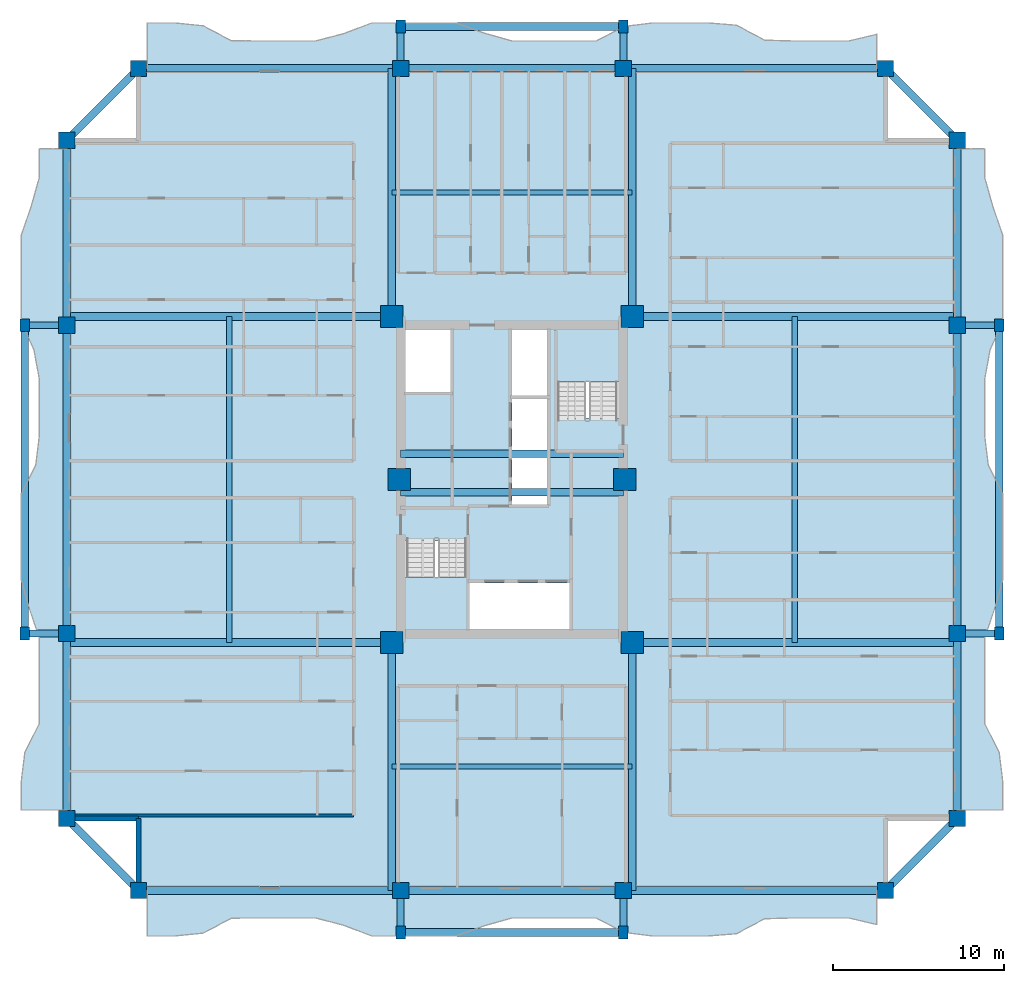
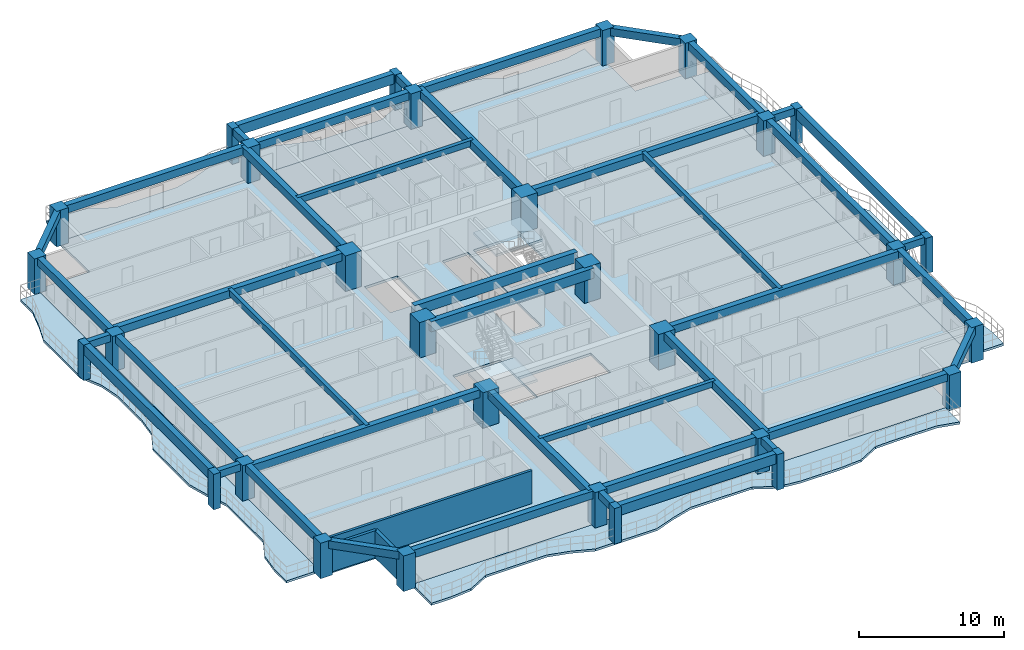
# One storey, part 1 of 14: 42 beams, 30 columns, 7 slabs, 3 walls, 2 elements without a shape of their own.
"""IFC4 building model written with IfcOpenShell, lengths in metres."""

from ifc_helpers import new_model, si_unit, direction, frame, frame_2d, origin, origin_2d, place, context, subcontext, project, spatial, polyline, rectangle, outline, extrude, source, transform, mapped, material, layer, layer_set, material_profile, profile_set, type_object, element, aggregate, save


model = new_model("IFC4")

# Units and contexts
model_context = context("Model", 3, precision=1e-05, world=origin(), true_north=direction((0.0, 1.0)))
body_context = subcontext(model_context, "Body", "Model", "MODEL_VIEW")
ifc_project = project(units=[si_unit("LENGTHUNIT", "METRE"), si_unit("AREAUNIT", "SQUARE_METRE"), si_unit("VOLUMEUNIT", "CUBIC_METRE"), si_unit("PLANEANGLEUNIT", "RADIAN"), si_unit("MASSUNIT", "GRAM", prefix="KILO")], contexts=[model_context])

# Site, building, storey
site_placement = place(None, origin())
site = spatial("IfcSite", under=ifc_project, at=site_placement, CompositionType="ELEMENT")
building_placement = place(site_placement, origin())
building = spatial("IfcBuilding", under=site, at=building_placement, Name="Saelheon Loggia Tower", CompositionType="ELEMENT")
storey_placement = place(building_placement, frame((0.0, 0.0, 119.85009765625)))
storey = spatial("IfcBuildingStorey", under=building, at=storey_placement, Name="L38", CompositionType="ELEMENT", Elevation=119.85009765625)

# Columns
ifc_material_1 = material(Name="Precast Concrete C45/55", Category="concrete")
ifc_material_profile_1 = material_profile(ifc_material_1, rectangle(XDim=0.550048828125, YDim=0.75, at=origin_2d()), Name="RC-550x750")
ifc_profile_set_1 = profile_set([ifc_material_profile_1], Name="Precast Concrete C45/55")
column_type_1 = type_object("IfcColumnType", Name="Col_Loggia_Pilaster_750", PredefinedType="PILASTER", material=ifc_profile_set_1)
shared_shape_1 = source(origin(), body_context, "Body", "SweptSolid", [
    extrude(rectangle(XDim=0.550048828125, YDim=0.75, at=origin_2d()), origin(), (0.0, 0.0, 1.0), 3.0),
])
for number, where, z_axis, x_axis, name in (
    (1, (31.5, 0.550048828125, 0.0), (0.0, 0.0, 1.0), (1.0, 0.0, 0.0), "L38 Loggia Frame Pilaster LP-S1"),
    (2, (44.5, 0.550048828125, 0.0), (0.0, 0.0, 1.0), (1.0, 0.0, 0.0), "L38 Loggia Frame Pilaster LP-S2"),
    (3, (31.5, 53.449951171875, 0.0), (0.0, 0.0, 1.0), (1.0, 0.0, 0.0), "L38 Loggia Frame Pilaster LP-N1"),
    (4, (44.5, 53.449951171875, 0.0), (0.0, 0.0, 1.0), (1.0, 0.0, 0.0), "L38 Loggia Frame Pilaster LP-N2"),
    (5, (66.449951171875, 18.0, 0.0), (0.0, 0.0, 1.0), (1.0, 0.0, 0.0), "L38 Loggia Frame Pilaster LP-E1"),
    (6, (66.449951171875, 36.0, 0.0), (0.0, 0.0, 1.0), (1.0, 0.0, 0.0), "L38 Loggia Frame Pilaster LP-E2"),
    (7, (9.550048828125, 18.0, 0.0), (0.0, 0.0, 1.0), (1.0, 0.0, 0.0), "L38 Loggia Frame Pilaster LP-W1"),
    (8, (9.550048828125, 36.0, 0.0), (0.0, 0.0, 1.0), (1.0, 0.0, 0.0), "L38 Loggia Frame Pilaster LP-W2"),
):
    element("IfcColumn", number, at=place(storey_placement, frame(where, z_axis=z_axis, x_axis=x_axis)), inside=storey, type_object=column_type_1, Name=name, PredefinedType="PILASTER", context=body_context, shape_type="MappedRepresentation", body=[
        mapped(shared_shape_1, transform((0.0, 0.0, 0.0), scale=1.0)),
    ])
ifc_material_2 = material(Name="Concrete C60/75", Category="concrete")
ifc_material_profile_2 = material_profile(ifc_material_2, rectangle(XDim=1.300048828125, YDim=1.300048828125, at=origin_2d()), Name="RC-1300x1300")
ifc_profile_set_2 = profile_set([ifc_material_profile_2], Name="Concrete C60/75")
column_type_2 = type_object("IfcColumnType", Name="Col_Core_RC1300", PredefinedType="COLUMN", material=ifc_profile_set_2)
shared_shape_2 = source(origin(), body_context, "Body", "SweptSolid", [
    extrude(rectangle(XDim=1.300048828125, YDim=1.300048828125, at=origin_2d()), origin(), (0.0, 0.0, 1.0), 3.0),
])
for number, where, z_axis, x_axis, name in (
    (9, (30.97998046875, 17.47998046875, 0.0), (0.0, 0.0, 1.0), (1.0, 0.0, 0.0), "L38 Core Column CR-SW"),
    (10, (45.02001953125, 17.47998046875, 0.0), (0.0, 0.0, 1.0), (1.0, 0.0, 0.0), "L38 Core Column CR-SE"),
    (11, (30.97998046875, 36.52001953125, 0.0), (0.0, 0.0, 1.0), (1.0, 0.0, 0.0), "L38 Core Column CR-NW"),
    (12, (45.02001953125, 36.52001953125, 0.0), (0.0, 0.0, 1.0), (1.0, 0.0, 0.0), "L38 Core Column CR-NE"),
    (13, (31.419921875, 27.0, 0.0), (0.0, 0.0, 1.0), (1.0, 0.0, 0.0), "L38 Core Column CR-MW"),
    (14, (44.580078125, 27.0, 0.0), (0.0, 0.0, 1.0), (1.0, 0.0, 0.0), "L38 Core Column CR-ME"),
):
    element("IfcColumn", number, at=place(storey_placement, frame(where, z_axis=z_axis, x_axis=x_axis)), inside=storey, type_object=column_type_2, Name=name, PredefinedType="COLUMN", context=body_context, shape_type="MappedRepresentation", body=[
        mapped(shared_shape_2, transform((0.0, 0.0, 0.0), scale=1.0)),
    ])
ifc_material_3 = material(Name="Concrete C50/60", Category="concrete")
ifc_material_profile_3 = material_profile(ifc_material_3, rectangle(XDim=0.949951171875, YDim=0.949951171875, at=origin_2d()), Name="RC-950x950")
ifc_profile_set_3 = profile_set([ifc_material_profile_3], Name="Concrete C50/60")
column_type_3 = type_object("IfcColumnType", Name="Col_Perim_RC950", PredefinedType="COLUMN", material=ifc_profile_set_3)
shared_shape_3 = source(origin(), body_context, "Body", "SweptSolid", [
    extrude(rectangle(XDim=0.949951171875, YDim=0.949951171875, at=origin_2d()), origin(), (0.0, 0.0, 1.0), 3.0),
])
for number, where, z_axis, x_axis, name in (
    (15, (16.199951171875, 3.0, 0.0), (0.0, 0.0, 1.0), (1.0, 0.0, 0.0), "L38 Perimeter Column TP-S1"),
    (16, (31.5, 3.0, 0.0), (0.0, 0.0, 1.0), (1.0, 0.0, 0.0), "L38 Perimeter Column TP-SA"),
    (17, (44.5, 3.0, 0.0), (0.0, 0.0, 1.0), (1.0, 0.0, 0.0), "L38 Perimeter Column TP-SB"),
    (18, (59.800048828125, 3.0, 0.0), (0.0, 0.0, 1.0), (1.0, 0.0, 0.0), "L38 Perimeter Column TP-S2"),
    (19, (64.0, 7.199951171875, 0.0), (0.0, 0.0, 1.0), (1.0, 0.0, 0.0), "L38 Perimeter Column TP-E1"),
    (20, (64.0, 18.0, 0.0), (0.0, 0.0, 1.0), (1.0, 0.0, 0.0), "L38 Perimeter Column TP-EA"),
    (21, (64.0, 36.0, 0.0), (0.0, 0.0, 1.0), (1.0, 0.0, 0.0), "L38 Perimeter Column TP-EB"),
    (22, (64.0, 46.800048828125, 0.0), (0.0, 0.0, 1.0), (1.0, 0.0, 0.0), "L38 Perimeter Column TP-E2"),
    (23, (59.800048828125, 51.0, 0.0), (0.0, 0.0, 1.0), (1.0, 0.0, 0.0), "L38 Perimeter Column TP-N2"),
    (24, (44.5, 51.0, 0.0), (0.0, 0.0, 1.0), (1.0, 0.0, 0.0), "L38 Perimeter Column TP-NB"),
    (25, (31.5, 51.0, 0.0), (0.0, 0.0, 1.0), (1.0, 0.0, 0.0), "L38 Perimeter Column TP-NA"),
    (26, (16.199951171875, 51.0, 0.0), (0.0, 0.0, 1.0), (1.0, 0.0, 0.0), "L38 Perimeter Column TP-N1"),
    (27, (12.0, 46.800048828125, 0.0), (0.0, 0.0, 1.0), (1.0, 0.0, 0.0), "L38 Perimeter Column TP-W2"),
    (28, (12.0, 36.0, 0.0), (0.0, 0.0, 1.0), (1.0, 0.0, 0.0), "L38 Perimeter Column TP-WB"),
    (29, (12.0, 18.0, 0.0), (0.0, 0.0, 1.0), (1.0, 0.0, 0.0), "L38 Perimeter Column TP-WA"),
    (30, (12.0, 7.199951171875, 0.0), (0.0, 0.0, 1.0), (1.0, 0.0, 0.0), "L38 Perimeter Column TP-W1"),
):
    element("IfcColumn", number, at=place(storey_placement, frame(where, z_axis=z_axis, x_axis=x_axis)), inside=storey, type_object=column_type_3, Name=name, PredefinedType="COLUMN", context=body_context, shape_type="MappedRepresentation", body=[
        mapped(shared_shape_3, transform((0.0, 0.0, 0.0), scale=1.0)),
    ])

# Beams
ifc_material_profile_4 = material_profile(ifc_material_3, rectangle(XDim=0.449951171875, YDim=0.85009765625, at=origin_2d()), Name="RC-450x850")
ifc_profile_set_4 = profile_set([ifc_material_profile_4], Name="Concrete C50/60")
beam_type_1 = type_object("IfcBeamType", Name="Beam_CoreLintel_RC450x850", PredefinedType="LINTEL", material=ifc_profile_set_4)
shared_shape_4 = source(origin(), body_context, "Body", "SweptSolid", [
    extrude(rectangle(XDim=0.449951171875, YDim=0.85009765625, at=origin_2d()), origin(), (0.0, 0.0, 1.0), 13.0),
])
for number, where, z_axis, x_axis, name in (
    (31, (31.5, 26.25, 2.574951171875), (1.0, 0.0, 0.0), (0.0, 1.0, 0.0), "L38 Core Coupling Lintel 1"),
    (32, (31.5, 28.5, 2.574951171875), (1.0, 0.0, 0.0), (0.0, 1.0, 0.0), "L38 Core Coupling Lintel 2"),
):
    element("IfcBeam", number, at=place(storey_placement, frame(where, z_axis=z_axis, x_axis=x_axis)), inside=storey, type_object=beam_type_1, Name=name, PredefinedType="LINTEL", context=body_context, shape_type="MappedRepresentation", body=[
        mapped(shared_shape_4, transform((0.0, 0.0, 0.0), scale=1.0)),
    ])
ifc_material_profile_5 = material_profile(ifc_material_1, rectangle(XDim=0.449951171875, YDim=0.85009765625, at=origin_2d()), Name="RC-450x850")
ifc_profile_set_5 = profile_set([ifc_material_profile_5], Name="Precast Concrete C45/55")
beam_type_2 = type_object("IfcBeamType", Name="Beam_LoggiaSpandrel_RC450x850", PredefinedType="SPANDREL", material=ifc_profile_set_5)
for number, where, z_axis, x_axis, name in (
    (33, (31.5, 0.550048828125, 2.574951171875), (1.0, 0.0, 0.0), (0.0, 1.0, 0.0), "L38 Loggia Spandrel Beam S"),
    (34, (31.5, 53.449951171875, 2.574951171875), (1.0, 0.0, 0.0), (0.0, 1.0, 0.0), "L38 Loggia Spandrel Beam N"),
):
    element("IfcBeam", number, at=place(storey_placement, frame(where, z_axis=z_axis, x_axis=x_axis)), inside=storey, type_object=beam_type_2, Name=name, PredefinedType="SPANDREL", context=body_context, shape_type="MappedRepresentation", body=[
        mapped(shared_shape_4, transform((0.0, 0.0, 0.0), scale=1.0)),
    ])
ifc_material_profile_6 = material_profile(ifc_material_1, rectangle(XDim=0.39990234375, YDim=0.60009765625, at=origin_2d()), Name="RC-400x600")
ifc_profile_set_6 = profile_set([ifc_material_profile_6], Name="Precast Concrete C45/55")
beam_type_3 = type_object("IfcBeamType", Name="Beam_LoggiaTie_RC400x600", PredefinedType="BEAM", material=ifc_profile_set_6)
shared_shape_5 = source(origin(), body_context, "Body", "SweptSolid", [
    extrude(rectangle(XDim=0.39990234375, YDim=0.60009765625, at=origin_2d()), origin(), (0.0, 0.0, 1.0), 2.449951171875),
])
for number, where, z_axis, x_axis, name in (
    (35, (31.5, 3.0, 2.699951171875), (0.0, -1.0, 0.0), (1.0, 0.0, 0.0), "L38 Loggia Frame Tie Beam LP-S1"),
    (36, (44.5, 3.0, 2.699951171875), (0.0, -1.0, 0.0), (1.0, 0.0, 0.0), "L38 Loggia Frame Tie Beam LP-S2"),
    (37, (31.5, 51.0, 2.699951171875), (0.0, 1.0, 0.0), (-1.0, 0.0, 0.0), "L38 Loggia Frame Tie Beam LP-N1"),
    (38, (44.5, 51.0, 2.699951171875), (0.0, 1.0, 0.0), (-1.0, 0.0, 0.0), "L38 Loggia Frame Tie Beam LP-N2"),
    (39, (64.0, 18.0, 2.699951171875), (1.0, 0.0, 0.0), (0.0, 1.0, 0.0), "L38 Loggia Frame Tie Beam LP-E1"),
    (40, (64.0, 36.0, 2.699951171875), (1.0, 0.0, 0.0), (0.0, 1.0, 0.0), "L38 Loggia Frame Tie Beam LP-E2"),
    (41, (12.0, 18.0, 2.699951171875), (-1.0, 0.0, 0.0), (0.0, -1.0, 0.0), "L38 Loggia Frame Tie Beam LP-W1"),
    (42, (12.0, 36.0, 2.699951171875), (-1.0, 0.0, 0.0), (0.0, -1.0, 0.0), "L38 Loggia Frame Tie Beam LP-W2"),
):
    element("IfcBeam", number, at=place(storey_placement, frame(where, z_axis=z_axis, x_axis=x_axis)), inside=storey, type_object=beam_type_3, Name=name, PredefinedType="BEAM", context=body_context, shape_type="MappedRepresentation", body=[
        mapped(shared_shape_5, transform((0.0, 0.0, 0.0), scale=1.0)),
    ])
shared_shape_6 = source(origin(), body_context, "Body", "SweptSolid", [
    extrude(rectangle(XDim=0.449951171875, YDim=0.85009765625, at=origin_2d()), origin(), (0.0, 0.0, 1.0), 18.0),
])
for number, where, z_axis, x_axis, name in (
    (43, (66.449951171875, 18.0, 2.574951171875), (0.0, 1.0, 0.0), (-1.0, 0.0, 0.0), "L38 Loggia Spandrel Beam E"),
    (44, (9.550048828125, 18.0, 2.574951171875), (0.0, 1.0, 0.0), (-1.0, 0.0, 0.0), "L38 Loggia Spandrel Beam W"),
):
    element("IfcBeam", number, at=place(storey_placement, frame(where, z_axis=z_axis, x_axis=x_axis)), inside=storey, type_object=beam_type_2, Name=name, PredefinedType="SPANDREL", context=body_context, shape_type="MappedRepresentation", body=[
        mapped(shared_shape_6, transform((0.0, 0.0, 0.0), scale=1.0)),
    ])
ifc_material_4 = material(Name="Concrete C40/50", Category="concrete")
ifc_material_profile_7 = material_profile(ifc_material_4, rectangle(XDim=0.449951171875, YDim=0.64990234375, at=origin_2d()), Name="RC-450x650")
ifc_profile_set_7 = profile_set([ifc_material_profile_7], Name="Concrete C40/50")
beam_type_4 = type_object("IfcBeamType", Name="Beam_PerimTower_RC450x650", PredefinedType="BEAM", material=ifc_profile_set_7)
shared_shape_7 = source(origin(), body_context, "Body", "SweptSolid", [
    extrude(rectangle(XDim=0.449951171875, YDim=0.64990234375, at=origin_2d()), origin(), (0.0, 0.0, 1.0), 15.300048828125),
])
for number, where, z_axis, x_axis, name in (
    (45, (16.199951171875, 3.0, 2.6748046875), (1.0, 0.0, 0.0), (0.0, 1.0, 0.0), "L38 Perimeter Frame Girder 01"),
    (46, (44.5, 3.0, 2.6748046875), (1.0, 0.0, 0.0), (0.0, 1.0, 0.0), "L38 Perimeter Frame Girder 03"),
    (47, (59.800048828125, 51.0, 2.6748046875), (-1.0, 0.0, 0.0), (0.0, -1.0, 0.0), "L38 Perimeter Frame Girder 09"),
    (48, (31.5, 51.0, 2.6748046875), (-1.0, 0.0, 0.0), (0.0, -1.0, 0.0), "L38 Perimeter Frame Girder 11"),
):
    element("IfcBeam", number, at=place(storey_placement, frame(where, z_axis=z_axis, x_axis=x_axis)), inside=storey, type_object=beam_type_4, Name=name, PredefinedType="BEAM", context=body_context, shape_type="MappedRepresentation", body=[
        mapped(shared_shape_7, transform((0.0, 0.0, 0.0), scale=1.0)),
    ])
shared_shape_8 = source(origin(), body_context, "Body", "SweptSolid", [
    extrude(rectangle(XDim=0.449951171875, YDim=0.64990234375, at=origin_2d()), origin(), (0.0, 0.0, 1.0), 13.0),
])
for number, where, z_axis, x_axis, name in (
    (49, (31.5, 3.0, 2.6748046875), (1.0, 0.0, 0.0), (0.0, 1.0, 0.0), "L38 Perimeter Frame Girder 02"),
    (50, (44.5, 51.0, 2.6748046875), (-1.0, 0.0, 0.0), (0.0, -1.0, 0.0), "L38 Perimeter Frame Girder 10"),
):
    element("IfcBeam", number, at=place(storey_placement, frame(where, z_axis=z_axis, x_axis=x_axis)), inside=storey, type_object=beam_type_4, Name=name, PredefinedType="BEAM", context=body_context, shape_type="MappedRepresentation", body=[
        mapped(shared_shape_8, transform((0.0, 0.0, 0.0), scale=1.0)),
    ])
shared_shape_9 = source(origin(), body_context, "Body", "SweptSolid", [
    extrude(rectangle(XDim=0.449951171875, YDim=0.64990234375, at=origin_2d()), origin(), (0.0, 0.0, 1.0), 5.939697265625),
])
for number, where, z_axis, x_axis, name in (
    (51, (59.800048828125, 3.0, 2.6748046875), (0.707106781187, 0.707106781187, 0.0), (-0.707106781187, 0.707106781187, 0.0), "L38 Perimeter Frame Girder 04"),
    (52, (64.0, 46.800048828125, 2.6748046875), (-0.707106781187, 0.707106781187, 0.0), (-0.707106781187, -0.707106781187, 0.0), "L38 Perimeter Frame Girder 08"),
    (53, (16.199951171875, 51.0, 2.6748046875), (-0.707106781187, -0.707106781187, 0.0), (0.707106781187, -0.707106781187, 0.0), "L38 Perimeter Frame Girder 12"),
    (54, (12.0, 7.199951171875, 2.6748046875), (0.707106781187, -0.707106781187, 0.0), (0.707106781187, 0.707106781187, 0.0), "L38 Perimeter Frame Girder 16"),
):
    element("IfcBeam", number, at=place(storey_placement, frame(where, z_axis=z_axis, x_axis=x_axis)), inside=storey, type_object=beam_type_4, Name=name, PredefinedType="BEAM", context=body_context, shape_type="MappedRepresentation", body=[
        mapped(shared_shape_9, transform((0.0, 0.0, 0.0), scale=1.0)),
    ])
shared_shape_10 = source(origin(), body_context, "Body", "SweptSolid", [
    extrude(rectangle(XDim=0.449951171875, YDim=0.64990234375, at=origin_2d()), origin(), (0.0, 0.0, 1.0), 10.800048828125),
])
for number, where, z_axis, x_axis, name in (
    (55, (64.0, 7.199951171875, 2.6748046875), (0.0, 1.0, 0.0), (-1.0, 0.0, 0.0), "L38 Perimeter Frame Girder 05"),
    (56, (64.0, 36.0, 2.6748046875), (0.0, 1.0, 0.0), (-1.0, 0.0, 0.0), "L38 Perimeter Frame Girder 07"),
    (57, (12.0, 46.800048828125, 2.6748046875), (0.0, -1.0, 0.0), (1.0, 0.0, 0.0), "L38 Perimeter Frame Girder 13"),
    (58, (12.0, 18.0, 2.6748046875), (0.0, -1.0, 0.0), (1.0, 0.0, 0.0), "L38 Perimeter Frame Girder 15"),
):
    element("IfcBeam", number, at=place(storey_placement, frame(where, z_axis=z_axis, x_axis=x_axis)), inside=storey, type_object=beam_type_4, Name=name, PredefinedType="BEAM", context=body_context, shape_type="MappedRepresentation", body=[
        mapped(shared_shape_10, transform((0.0, 0.0, 0.0), scale=1.0)),
    ])
shared_shape_11 = source(origin(), body_context, "Body", "SweptSolid", [
    extrude(rectangle(XDim=0.449951171875, YDim=0.64990234375, at=origin_2d()), origin(), (0.0, 0.0, 1.0), 18.0),
])
for number, where, z_axis, x_axis, name in (
    (59, (64.0, 18.0, 2.6748046875), (0.0, 1.0, 0.0), (-1.0, 0.0, 0.0), "L38 Perimeter Frame Girder 06"),
    (60, (12.0, 36.0, 2.6748046875), (0.0, -1.0, 0.0), (1.0, 0.0, 0.0), "L38 Perimeter Frame Girder 14"),
):
    element("IfcBeam", number, at=place(storey_placement, frame(where, z_axis=z_axis, x_axis=x_axis)), inside=storey, type_object=beam_type_4, Name=name, PredefinedType="BEAM", context=body_context, shape_type="MappedRepresentation", body=[
        mapped(shared_shape_11, transform((0.0, 0.0, 0.0), scale=1.0)),
    ])
ifc_material_profile_8 = material_profile(ifc_material_4, rectangle(XDim=0.449951171875, YDim=0.64990234375, at=origin_2d()), Name="RC-450x650")
ifc_profile_set_8 = profile_set([ifc_material_profile_8], Name="Concrete C40/50")
beam_type_5 = type_object("IfcBeamType", Name="Beam_TowerGirder_RC450x650", PredefinedType="BEAM", material=ifc_profile_set_8)
shared_shape_12 = source(origin(), body_context, "Body", "SweptSolid", [
    extrude(rectangle(XDim=0.449951171875, YDim=0.64990234375, at=origin_2d()), origin(), (0.0, 0.0, 1.0), 14.47998046875),
])
for number, where, z_axis, x_axis, name in (
    (61, (30.97998046875, 17.47998046875, 2.6748046875), (0.0, -1.0, 0.0), (1.0, 0.0, 0.0), "L38 Radial Floor Girder RAD-SW-S"),
    (62, (45.02001953125, 17.47998046875, 2.6748046875), (0.0, -1.0, 0.0), (1.0, 0.0, 0.0), "L38 Radial Floor Girder RAD-SE-S"),
    (63, (30.97998046875, 36.52001953125, 2.6748046875), (0.0, 1.0, 0.0), (-1.0, 0.0, 0.0), "L38 Radial Floor Girder RAD-NW-N"),
    (64, (45.02001953125, 36.52001953125, 2.6748046875), (0.0, 1.0, 0.0), (-1.0, 0.0, 0.0), "L38 Radial Floor Girder RAD-NE-N"),
):
    element("IfcBeam", number, at=place(storey_placement, frame(where, z_axis=z_axis, x_axis=x_axis)), inside=storey, type_object=beam_type_5, Name=name, PredefinedType="BEAM", context=body_context, shape_type="MappedRepresentation", body=[
        mapped(shared_shape_12, transform((0.0, 0.0, 0.0), scale=1.0)),
    ])
shared_shape_13 = source(origin(), body_context, "Body", "SweptSolid", [
    extrude(rectangle(XDim=0.449951171875, YDim=0.64990234375, at=origin_2d()), origin(), (0.0, 0.0, 1.0), 18.97998046875),
])
for number, where, z_axis, x_axis, name in (
    (65, (30.97998046875, 17.47998046875, 2.6748046875), (-1.0, 0.0, 0.0), (0.0, -1.0, 0.0), "L38 Radial Floor Girder RAD-SW-W"),
    (66, (30.97998046875, 36.52001953125, 2.6748046875), (-1.0, 0.0, 0.0), (0.0, -1.0, 0.0), "L38 Radial Floor Girder RAD-NW-W"),
    (67, (45.02001953125, 17.47998046875, 2.6748046875), (1.0, 0.0, 0.0), (0.0, 1.0, 0.0), "L38 Radial Floor Girder RAD-SE-E"),
    (68, (45.02001953125, 36.52001953125, 2.6748046875), (1.0, 0.0, 0.0), (0.0, 1.0, 0.0), "L38 Radial Floor Girder RAD-NE-E"),
):
    element("IfcBeam", number, at=place(storey_placement, frame(where, z_axis=z_axis, x_axis=x_axis)), inside=storey, type_object=beam_type_5, Name=name, PredefinedType="BEAM", context=body_context, shape_type="MappedRepresentation", body=[
        mapped(shared_shape_13, transform((0.0, 0.0, 0.0), scale=1.0)),
    ])
ifc_material_profile_9 = material_profile(ifc_material_4, rectangle(XDim=0.300048828125, YDim=0.5, at=origin_2d()), Name="RC-300x500")
ifc_profile_set_9 = profile_set([ifc_material_profile_9], Name="Concrete C40/50")
beam_type_6 = type_object("IfcBeamType", Name="Beam_Joist_RC300x500", PredefinedType="JOIST", material=ifc_profile_set_9)
shared_shape_14 = source(origin(), body_context, "Body", "SweptSolid", [
    extrude(rectangle(XDim=0.300048828125, YDim=0.5, at=origin_2d()), origin(), (0.0, 0.0, 1.0), 14.0400390625),
])
for number, where, z_axis, x_axis, name in (
    (69, (30.97998046875, 10.239990234375, 2.75), (1.0, 0.0, 0.0), (0.0, 1.0, 0.0), "L38 South Floor Joist"),
    (70, (30.97998046875, 43.760009765625, 2.75), (1.0, 0.0, 0.0), (0.0, 1.0, 0.0), "L38 North Floor Joist"),
):
    element("IfcBeam", number, at=place(storey_placement, frame(where, z_axis=z_axis, x_axis=x_axis)), inside=storey, type_object=beam_type_6, Name=name, PredefinedType="JOIST", context=body_context, shape_type="MappedRepresentation", body=[
        mapped(shared_shape_14, transform((0.0, 0.0, 0.0), scale=1.0)),
    ])
shared_shape_15 = source(origin(), body_context, "Body", "SweptSolid", [
    extrude(rectangle(XDim=0.300048828125, YDim=0.5, at=origin_2d()), origin(), (0.0, 0.0, 1.0), 19.0400390625),
])
for number, where, z_axis, x_axis, name in (
    (71, (21.489990234375, 17.47998046875, 2.75), (0.0, 1.0, 0.0), (-1.0, 0.0, 0.0), "L38 West Floor Joist"),
    (72, (54.510009765625, 17.47998046875, 2.75), (0.0, 1.0, 0.0), (-1.0, 0.0, 0.0), "L38 East Floor Joist"),
):
    element("IfcBeam", number, at=place(storey_placement, frame(where, z_axis=z_axis, x_axis=x_axis)), inside=storey, type_object=beam_type_6, Name=name, PredefinedType="JOIST", context=body_context, shape_type="MappedRepresentation", body=[
        mapped(shared_shape_15, transform((0.0, 0.0, 0.0), scale=1.0)),
    ])

# Slabs
ifc_layer_1 = layer(ifc_material_1, 0.18994140625)
ifc_layer_set_1 = layer_set([ifc_layer_1], Name="Precast Concrete C45/55")
slab_type_1 = type_object("IfcSlabType", Name="Slab_Loggia_Ext_190", PredefinedType="FLOOR", material=ifc_layer_set_1)
slab_1_placement = place(storey_placement, frame((0.0, 0.0, -0.190185546875)))
element("IfcSlab", 73, at=slab_1_placement, inside=storey, type_object=slab_type_1, Name="L38 Loggia Balcony Slab S", PredefinedType="FLOOR", context=body_context, shape_type="SweptSolid", body=[
    extrude(outline(polyline([(16.699951171875, 0.35009765625), (18.33837890625, 0.35009765625), (19.976806640625, 0.514892578125), (21.615478515625, 1.38671875), (23.25390625, 1.39990234375), (24.892333984375, 1.39990234375), (26.53076171875, 1.39990234375), (28.169189453125, 0.975341796875), (29.8076171875, 0.35009765625), (31.4462890625, 0.35009765625), (33.084716796875, 0.35009765625), (34.72314453125, 0.35009765625), (36.361572265625, 0.937744140625), (38.0, 1.39990234375), (39.638427734375, 1.39990234375), (41.27685546875, 1.39990234375), (42.915283203125, 1.39990234375), (44.5537109375, 0.55126953125), (46.1923828125, 0.35009765625), (47.830810546875, 0.35009765625), (49.46923828125, 0.35009765625), (51.107666015625, 0.478515625), (52.74609375, 1.35205078125), (54.384521484375, 1.39990234375), (56.023193359375, 1.39990234375), (57.66162109375, 1.39990234375), (59.300048828125, 1.0126953125), (59.300048828125, 3.0), (16.699951171875, 3.0), (16.699951171875, 0.35009765625)])), origin(), (0.0, 0.0, 1.0), 0.190185546875),
])
slab_2_placement = place(storey_placement, frame((0.0, 0.0, -0.190185546875)))
element("IfcSlab", 74, at=slab_2_placement, inside=storey, type_object=slab_type_1, Name="L38 Loggia Balcony Slab N", PredefinedType="FLOOR", context=body_context, shape_type="SweptSolid", body=[
    extrude(outline(polyline([(16.699951171875, 51.0), (59.300048828125, 51.0), (59.300048828125, 52.9873046875), (57.66162109375, 52.60009765625), (56.023193359375, 52.60009765625), (54.384521484375, 52.60009765625), (52.74609375, 52.64794921875), (51.107666015625, 53.521484375), (49.46923828125, 53.64990234375), (47.830810546875, 53.64990234375), (46.1923828125, 53.64990234375), (44.5537109375, 53.44873046875), (42.915283203125, 52.60009765625), (41.27685546875, 52.60009765625), (39.638427734375, 52.60009765625), (38.0, 52.60009765625), (36.361572265625, 53.062255859375), (34.72314453125, 53.64990234375), (33.084716796875, 53.64990234375), (31.4462890625, 53.64990234375), (29.8076171875, 53.64990234375), (28.169189453125, 53.024658203125), (26.53076171875, 52.60009765625), (24.892333984375, 52.60009765625), (23.25390625, 52.60009765625), (21.615478515625, 52.61328125), (19.976806640625, 53.485107421875), (18.33837890625, 53.64990234375), (16.699951171875, 53.64990234375), (16.699951171875, 51.0)])), origin(), (0.0, 0.0, 1.0), 0.190185546875),
])
slab_3_placement = place(storey_placement, frame((0.0, 0.0, -0.190185546875)))
element("IfcSlab", 75, at=slab_3_placement, inside=storey, type_object=slab_type_1, Name="L38 Loggia Balcony Slab E", PredefinedType="FLOOR", context=body_context, shape_type="SweptSolid", body=[
    extrude(outline(polyline([(64.0, 7.699951171875), (66.64990234375, 7.699951171875), (66.64990234375, 9.37841796875), (66.443115234375, 11.056396484375), (65.60009765625, 12.73486328125), (65.60009765625, 14.4130859375), (65.60009765625, 16.09130859375), (65.60009765625, 17.76953125), (66.176025390625, 19.44775390625), (66.64990234375, 21.126220703125), (66.64990234375, 22.80419921875), (66.64990234375, 24.482666015625), (66.64990234375, 26.160888671875), (65.806396484375, 27.839111328125), (65.60009765625, 29.517333984375), (65.60009765625, 31.19580078125), (65.60009765625, 32.873779296875), (65.90771484375, 34.55224609375), (66.64990234375, 36.23046875), (66.64990234375, 37.90869140625), (66.64990234375, 39.5869140625), (66.64990234375, 41.26513671875), (66.072021484375, 42.943603515625), (65.60009765625, 44.62158203125), (65.60009765625, 46.300048828125), (64.0, 46.300048828125), (64.0, 7.699951171875)])), origin(), (0.0, 0.0, 1.0), 0.190185546875),
])
slab_4_placement = place(storey_placement, frame((0.0, 0.0, -0.190185546875)))
element("IfcSlab", 76, at=slab_4_placement, inside=storey, type_object=slab_type_1, Name="L38 Loggia Balcony Slab W", PredefinedType="FLOOR", context=body_context, shape_type="SweptSolid", body=[
    extrude(outline(polyline([(12.0, 7.699951171875), (12.0, 46.300048828125), (10.39990234375, 46.300048828125), (10.39990234375, 44.62158203125), (9.927978515625, 42.943603515625), (9.35009765625, 41.26513671875), (9.35009765625, 39.5869140625), (9.35009765625, 37.90869140625), (9.35009765625, 36.23046875), (10.09228515625, 34.55224609375), (10.39990234375, 32.873779296875), (10.39990234375, 31.19580078125), (10.39990234375, 29.517333984375), (10.193603515625, 27.839111328125), (9.35009765625, 26.160888671875), (9.35009765625, 24.482666015625), (9.35009765625, 22.80419921875), (9.35009765625, 21.126220703125), (9.823974609375, 19.44775390625), (10.39990234375, 17.76953125), (10.39990234375, 16.09130859375), (10.39990234375, 14.4130859375), (10.39990234375, 12.73486328125), (9.556884765625, 11.056396484375), (9.35009765625, 9.37841796875), (9.35009765625, 7.699951171875), (12.0, 7.699951171875)])), origin(), (0.0, 0.0, 1.0), 0.190185546875),
])

# Stair, slab
stair_type = type_object("IfcStairType", Name="Stair_Escape_Core", PredefinedType="HALF_TURN_STAIR", material=ifc_material_4)
stair_1_placement = place(storey_placement, origin())
stair_1 = element("IfcStair", 77, at=stair_1_placement, inside=storey, type_object=stair_type, Name="L38 Special Escape Stair ST1", PredefinedType="HALF_TURN_STAIR")
ifc_layer_2 = layer(ifc_material_4, 0.199951171875)
ifc_layer_set_2 = layer_set([ifc_layer_2], Name="Concrete C40/50")
slab_type_2 = type_object("IfcSlabType", Name="Slab_StairLanding_ST1", PredefinedType="LANDING", material=ifc_layer_set_2)
slab_5_placement = place(storey_placement, frame((0.0, 0.0, 1.2998046875)))
slab_5 = element("IfcSlab", 78, at=slab_5_placement, type_object=slab_type_2, Name="ST1 landing 1", PredefinedType="LANDING", context=body_context, shape_type="SweptSolid", body=[
    extrude(outline(polyline([(31.7099609375, 21.31005859375), (31.7099609375, 18.2099609375), (35.469970703125, 18.2099609375), (35.469970703125, 21.31005859375), (31.7099609375, 21.31005859375)])), origin(), (0.0, 0.0, 1.0), 0.2001953125),
])
aggregate(stair_1, [slab_5])

stair_2_placement = place(storey_placement, origin())
stair_2 = element("IfcStair", 79, at=stair_2_placement, inside=storey, type_object=stair_type, Name="L38 Special Escape Stair ST2", PredefinedType="HALF_TURN_STAIR")
ifc_layer_3 = layer(ifc_material_4, 0.199951171875)
ifc_layer_set_3 = layer_set([ifc_layer_3], Name="Concrete C40/50")
slab_type_3 = type_object("IfcSlabType", Name="Slab_StairLanding_ST2", PredefinedType="LANDING", material=ifc_layer_set_3)
slab_6_placement = place(storey_placement, frame((0.0, 0.0, 1.2998046875)))
slab_6 = element("IfcSlab", 80, at=slab_6_placement, type_object=slab_type_3, Name="ST2 landing 1", PredefinedType="LANDING", context=body_context, shape_type="SweptSolid", body=[
    extrude(outline(polyline([(44.2900390625, 32.68994140625), (44.2900390625, 35.7900390625), (40.530029296875, 35.7900390625), (40.530029296875, 32.68994140625), (44.2900390625, 32.68994140625)])), origin(), (0.0, 0.0, 1.0), 0.2001953125),
])
aggregate(stair_2, [slab_6])

# Slab
ifc_layer_4 = layer(ifc_material_4, 0.2099609375)
ifc_layer_set_4 = layer_set([ifc_layer_4], Name="Concrete C40/50")
slab_type_4 = type_object("IfcSlabType", Name="Slab_Tower_210", PredefinedType="FLOOR", material=ifc_layer_set_4)
slab_7_placement = place(storey_placement, frame((0.0, 0.0, -0.210205078125)))
element("IfcSlab", 81, at=slab_7_placement, inside=storey, type_object=slab_type_4, Name="L38 Tower Floor Slab", PredefinedType="FLOOR", context=body_context, shape_type="SweptSolid", body=[
    extrude(outline(polyline([(16.199951171875, 3.0), (59.800048828125, 3.0), (59.800048828125, 7.199951171875), (64.0, 7.199951171875), (64.0, 46.800048828125), (59.800048828125, 46.800048828125), (59.800048828125, 51.0), (16.199951171875, 51.0), (16.199951171875, 46.800048828125), (12.0, 46.800048828125), (12.0, 7.199951171875), (16.199951171875, 7.199951171875), (16.199951171875, 3.0)]), holes=[polyline([(31.699951171875, 23.409912109375), (31.699951171875, 18.199951171875), (35.47998046875, 18.199951171875), (35.47998046875, 23.409912109375), (31.699951171875, 23.409912109375)]), polyline([(44.300048828125, 30.590087890625), (44.300048828125, 35.800048828125), (40.52001953125, 35.800048828125), (40.52001953125, 30.590087890625), (44.300048828125, 30.590087890625)]), polyline([(35.530029296875, 18.27490234375), (41.35009765625, 18.27490234375), (41.35009765625, 20.9599609375), (35.530029296875, 20.9599609375), (35.530029296875, 18.27490234375)]), polyline([(31.77490234375, 32.1201171875), (34.419921875, 32.1201171875), (34.419921875, 35.72509765625), (31.77490234375, 35.72509765625), (31.77490234375, 32.1201171875)]), polyline([(38.0, 31.89990234375), (40.050048828125, 31.89990234375), (40.050048828125, 35.72509765625), (38.0, 35.72509765625), (38.0, 31.89990234375)]), polyline([(38.0, 25.5400390625), (40.050048828125, 25.5400390625), (40.050048828125, 31.699951171875), (38.0, 31.699951171875), (38.0, 25.5400390625)])]), origin(), (0.0, 0.0, 1.0), 0.210205078125),
])

# Walls
ifc_material_5 = material(Name="Architectural Precast Concrete C40/50", Category="concrete")
ifc_layer_5 = layer(ifc_material_5, 0.280029296875)
ifc_layer_set_5 = layer_set([ifc_layer_5], Name="Architectural Precast Concrete C40/50")
wall_type_1 = type_object("IfcWallType", Name="Wall_Ext_Loggia_280", PredefinedType="SOLIDWALL", material=ifc_layer_set_5)
for number, where, z_axis, x_axis, name in (
    (82, (16.199951171875, 3.080078125, 0.0), (0.0, 0.0, 1.0), (0.0, 1.0, 0.0), "L38 Corner Notch Precast Wall SW1"),
    (83, (12.080078125, 7.199951171875, 0.0), (0.0, 0.0, 1.0), (1.0, 0.0, 0.0), "L38 Corner Notch Precast Wall SW2"),
):
    element("IfcWall", number, at=place(storey_placement, frame(where, z_axis=z_axis, x_axis=x_axis)), inside=storey, type_object=wall_type_1, Name=name, PredefinedType="SOLIDWALL", context=body_context, shape_type="SweptSolid", body=[
        extrude(rectangle(XDim=4.119873046875, YDim=0.280029296875, at=frame_2d((2.06005859375, 0.0))), origin(), (0.0, 0.0, 1.0), 2.27978515625),
    ])
ifc_material_6 = material(Name="Double Acoustic Stud and Fireboard Partition", Category="gypsum")
ifc_layer_6 = layer(ifc_material_6, 0.199951171875)
ifc_layer_set_6 = layer_set([ifc_layer_6], Name="Double Acoustic Stud and Fireboard Partition")
wall_type_2 = type_object("IfcWallType", Name="Wall_Party_200", PredefinedType="PARTITIONING", material=ifc_layer_set_6)
wall_placement = place(storey_placement, frame((28.75, 7.3798828125, 0.0), z_axis=(0.0, 0.0, 1.0), x_axis=(-1.0, 0.0, 0.0)))
element("IfcWall", 84, at=wall_placement, inside=storey, type_object=wall_type_2, Name="L38 WS Partition U01", PredefinedType="PARTITIONING", context=body_context, shape_type="SweptSolid", body=[
    extrude(rectangle(XDim=16.60009765625, YDim=0.199951171875, at=frame_2d((8.300048828125, 0.0))), origin(), (0.0, 0.0, 1.0), 2.789794921875),
])

save(model, "model.ifc")
